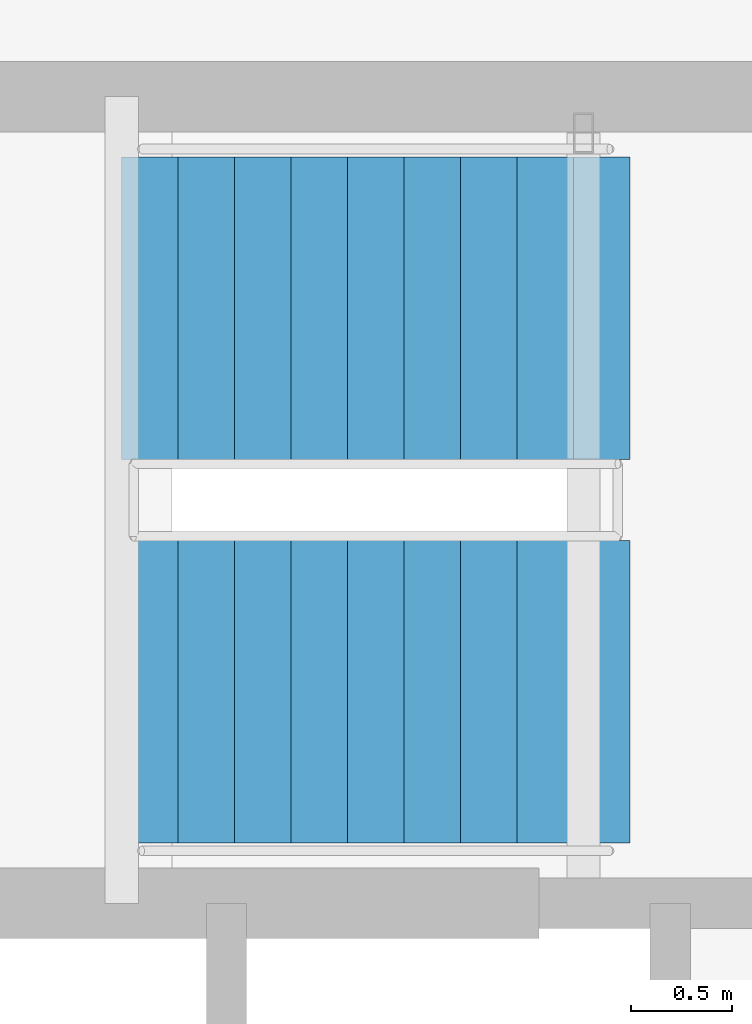
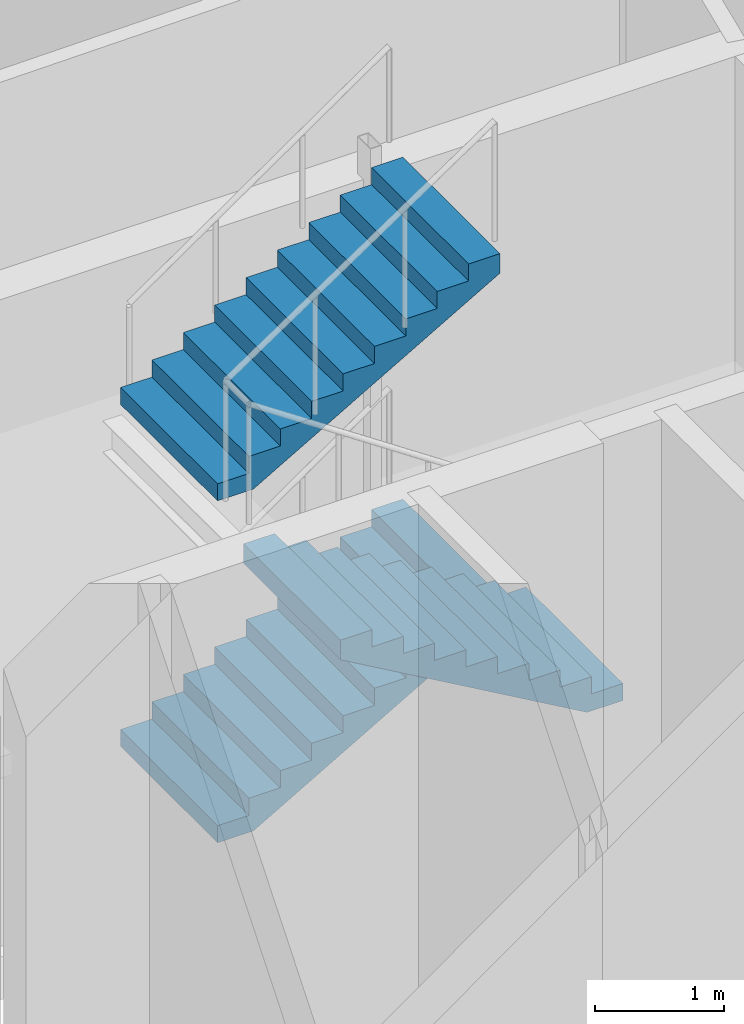
# One storey, part 9 of 10: 3 stair flights, 1 element without a shape of its own.
"""IFC4 building model written with IfcOpenShell, lengths in metres."""

from ifc_helpers import new_model, si_unit, direction, frame, origin, place, context, subcontext, project, spatial, polyline, outline, extrude, material, type_object, element, aggregate, save


model = new_model("IFC4")

# Units and contexts
model_context = context("Model", 3, precision=1e-05, world=origin(), true_north=direction((0.0, 1.0)))
body_context = subcontext(model_context, "Body", "Model", "MODEL_VIEW")
ifc_project = project(units=[si_unit("LENGTHUNIT", "METRE"), si_unit("AREAUNIT", "SQUARE_METRE"), si_unit("VOLUMEUNIT", "CUBIC_METRE"), si_unit("PLANEANGLEUNIT", "RADIAN"), si_unit("MASSUNIT", "GRAM", prefix="KILO")], contexts=[model_context])

# Site, building, storey
site_placement = place(None, origin())
site = spatial("IfcSite", under=ifc_project, at=site_placement, CompositionType="ELEMENT")
building_placement = place(site_placement, origin())
building = spatial("IfcBuilding", under=site, at=building_placement, Name="Menara Jurai Vektor", CompositionType="ELEMENT")
storey_placement = place(building_placement, frame((0.0, 0.0, 305.550048828125)))
storey = spatial("IfcBuildingStorey", under=building, at=storey_placement, Name="L82", CompositionType="ELEMENT", Elevation=305.550048828125)

# Stair, stair flights
ifc_material = material(Name="Concrete C40/50", Category="concrete")
stair_type = type_object("IfcStairType", Name="STAIR-DOGLEG-1500", PredefinedType="HALF_TURN_STAIR", material=ifc_material)
stair_placement = place(storey_placement, origin())
stair = element("IfcStair", 1, at=stair_placement, inside=storey, type_object=stair_type, Name="Protected Exit Stair ST2 L82", PredefinedType="HALF_TURN_STAIR")
stair_flight_type = type_object("IfcStairFlightType", Name="STAIR-FLIGHT-1500", PredefinedType="STRAIGHT", material=ifc_material)
stair_flight_1_placement = place(storey_placement, frame((8.830078125, 4.550048828125, 1.612548828125), z_axis=(0.0, 0.0, 1.0), x_axis=(1.0, 0.0, 0.0)))
stair_flight_1 = element("IfcStairFlight", 2, at=stair_flight_1_placement, type_object=stair_flight_type, Name="ST2 flight 2", NumberOfRisers=10, NumberOfTreads=9, PredefinedType="STRAIGHT", RiserHeight=0.16125, TreadLength=0.28, context=body_context, shape_type="SweptSolid", body=[
    extrude(outline(polyline([(0.0, 0.0), (0.0, 0.1611328125), (0.280029296875, 0.1611328125), (0.280029296875, 0.322509765625), (0.56005859375, 0.322509765625), (0.56005859375, 0.483642578125), (0.840087890625, 0.483642578125), (0.840087890625, 0.64501953125), (1.1201171875, 0.64501953125), (1.1201171875, 0.80615234375), (1.39990234375, 0.80615234375), (1.39990234375, 0.967529296875), (1.679931640625, 0.967529296875), (1.679931640625, 1.128662109375), (1.9599609375, 1.128662109375), (1.9599609375, 1.2900390625), (2.239990234375, 1.2900390625), (2.239990234375, 1.451171875), (2.52001953125, 1.451171875), (2.52001953125, 1.612548828125), (2.52001953125, 1.2666015625), (0.3203125, 0.0), (0.0, 0.0)])), frame((0.0, 0.75, 0.0), z_axis=(0.0, -1.0, 0.0), x_axis=(1.0, 0.0, 0.0)), (0.0, 0.0, 1.0), 1.5),
])
stair_flight_2_placement = place(storey_placement, frame((11.35009765625, 2.64990234375, 3.224853515625), z_axis=(0.0, 0.0, 1.0), x_axis=(-1.0, 0.0, 0.0)))
stair_flight_2 = element("IfcStairFlight", 3, at=stair_flight_2_placement, type_object=stair_flight_type, Name="ST2 flight 3", NumberOfRisers=10, NumberOfTreads=9, PredefinedType="STRAIGHT", RiserHeight=0.16125, TreadLength=0.28, context=body_context, shape_type="SweptSolid", body=[
    extrude(outline(polyline([(0.0, 0.0), (0.0, 0.1611328125), (0.280029296875, 0.1611328125), (0.280029296875, 0.322509765625), (0.56005859375, 0.322509765625), (0.56005859375, 0.483642578125), (0.840087890625, 0.483642578125), (0.840087890625, 0.64501953125), (1.1201171875, 0.64501953125), (1.1201171875, 0.80615234375), (1.39990234375, 0.80615234375), (1.39990234375, 0.967529296875), (1.679931640625, 0.967529296875), (1.679931640625, 1.128662109375), (1.9599609375, 1.128662109375), (1.9599609375, 1.2900390625), (2.239990234375, 1.2900390625), (2.239990234375, 1.451171875), (2.52001953125, 1.451171875), (2.52001953125, 1.612548828125), (2.52001953125, 1.2666015625), (0.3203125, 0.0), (0.0, 0.0)])), frame((0.0, 0.75, 0.0), z_axis=(0.0, -1.0, 0.0), x_axis=(1.0, 0.0, 0.0)), (0.0, 0.0, 1.0), 1.5),
])
stair_flight_3_placement = place(storey_placement, frame((8.830078125, 4.550048828125, 4.83740234375), z_axis=(0.0, 0.0, 1.0), x_axis=(1.0, 0.0, 0.0)))
stair_flight_3 = element("IfcStairFlight", 4, at=stair_flight_3_placement, type_object=stair_flight_type, Name="ST2 flight 4", NumberOfRisers=10, NumberOfTreads=9, PredefinedType="STRAIGHT", RiserHeight=0.16125, TreadLength=0.28, context=body_context, shape_type="SweptSolid", body=[
    extrude(outline(polyline([(0.0, 0.0), (0.0, 0.1611328125), (0.280029296875, 0.1611328125), (0.280029296875, 0.322509765625), (0.56005859375, 0.322509765625), (0.56005859375, 0.483642578125), (0.840087890625, 0.483642578125), (0.840087890625, 0.64501953125), (1.1201171875, 0.64501953125), (1.1201171875, 0.80615234375), (1.39990234375, 0.80615234375), (1.39990234375, 0.967529296875), (1.679931640625, 0.967529296875), (1.679931640625, 1.128662109375), (1.9599609375, 1.128662109375), (1.9599609375, 1.2900390625), (2.239990234375, 1.2900390625), (2.239990234375, 1.451171875), (2.52001953125, 1.451171875), (2.52001953125, 1.612548828125), (2.52001953125, 1.2666015625), (0.3203125, 0.0), (0.0, 0.0)])), frame((0.0, 0.75, 0.0), z_axis=(0.0, -1.0, 0.0), x_axis=(1.0, 0.0, 0.0)), (0.0, 0.0, 1.0), 1.5),
])
aggregate(stair, [stair_flight_1, stair_flight_2, stair_flight_3])

save(model, "model.ifc")
